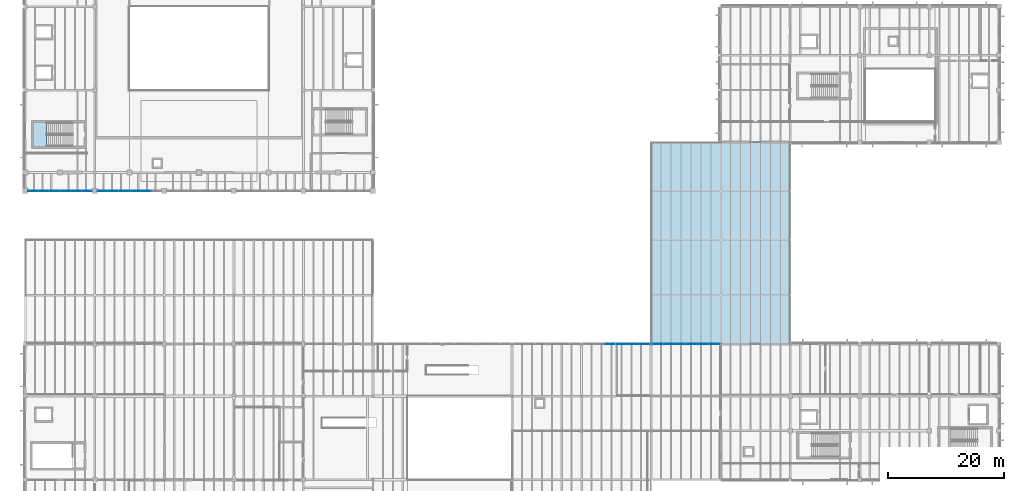
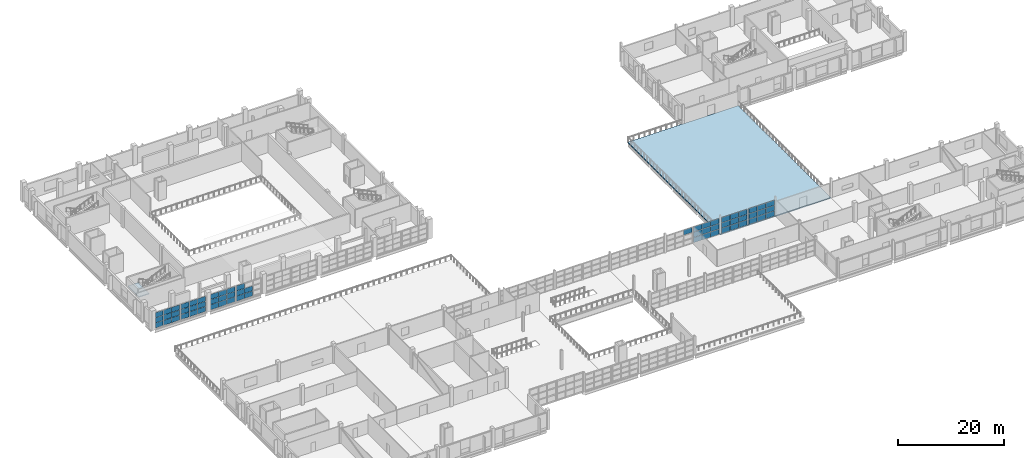
# One storey, part 50 of 78: 60 plates, 2 slabs, 9 elements without a shape of their own.
"""IFC4 building model written with IfcOpenShell, lengths in metres."""

from ifc_helpers import new_model, si_unit, direction, frame, origin, origin_2d, place, context, subcontext, project, spatial, polyline, rectangle, outline, extrude, material, layer, layer_set, type_object, element, aggregate, save


model = new_model("IFC4")

# Units and contexts
model_context = context("Model", 3, precision=1e-05, world=origin(), true_north=direction((0.0, 1.0)))
body_context = subcontext(model_context, "Body", "Model", "MODEL_VIEW")
ifc_project = project(units=[si_unit("LENGTHUNIT", "METRE"), si_unit("AREAUNIT", "SQUARE_METRE"), si_unit("VOLUMEUNIT", "CUBIC_METRE"), si_unit("PLANEANGLEUNIT", "RADIAN"), si_unit("MASSUNIT", "GRAM", prefix="KILO")], contexts=[model_context])

# Site, building, storey
site_placement = place(None, origin())
site = spatial("IfcSite", under=ifc_project, at=site_placement, CompositionType="ELEMENT")
building_placement = place(site_placement, origin())
building = spatial("IfcBuilding", under=site, at=building_placement, Name="Kelmvaro Bay Concert Hall", CompositionType="ELEMENT")
storey_placement = place(building_placement, frame((0.0, 0.0, 9.300048828125)))
storey = spatial("IfcBuildingStorey", under=building, at=storey_placement, Name="L02", CompositionType="ELEMENT", Elevation=9.300048828125)

# Stair, slab
ifc_material_1 = material(Name="Concrete C40/50", Category="concrete")
stair_type = type_object("IfcStairType", Name="Core Dogleg Exit Stair 1980", PredefinedType="USERDEFINED", material=ifc_material_1)
stair_placement = place(storey_placement, origin())
stair = element("IfcStair", 1, at=stair_placement, inside=storey, type_object=stair_type, Name="L02 Exit Stair ST-01", ObjectType="TWO_RETURN_STAIR", PredefinedType="USERDEFINED")
ifc_material_2 = material(Name="Concrete C40/50", Category="concrete")
ifc_layer_1 = layer(ifc_material_2, 0.199951171875)
ifc_layer_set_1 = layer_set([ifc_layer_1], Name="Concrete C40/50")
slab_type_1 = type_object("IfcSlabType", Name="Core Stair Half-Landing Slab 200", PredefinedType="LANDING", material=ifc_layer_set_1)
slab_1_placement = place(storey_placement, frame((0.0, 0.0, 2.050048828125)))
slab_1 = element("IfcSlab", 2, at=slab_1_placement, type_object=slab_type_1, Name="ST-01 landing 1", PredefinedType="LANDING", context=body_context, shape_type="SweptSolid", body=[
    extrude(outline(polyline([(3.696044921875, 77.199951171875), (1.449951171875, 77.199951171875), (1.449951171875, 73.090087890625), (3.696044921875, 73.090087890625), (3.696044921875, 77.199951171875)])), origin(), (0.0, 0.0, 1.0), 0.199951171875),
])
aggregate(stair, [slab_1])

# Curtain wall, plate
ifc_material_3 = material(Name="Anodised Aluminium and Low-E Insulated Glazing", Category="aluminium")
curtain_wall_type_1 = type_object("IfcCurtainWallType", Name="Upper Salon Waterfront Curtain Wall 4050", PredefinedType="USERDEFINED", material=ifc_material_3)
curtain_wall_1_placement = place(storey_placement, origin())
curtain_wall_1 = element("IfcCurtainWall", 3, at=curtain_wall_1_placement, inside=storey, type_object=curtain_wall_type_1, Name="Unitised Curtain Wall CW-L02-095", ObjectType="UNITISED GLAZING", PredefinedType="USERDEFINED")
ifc_material_4 = material(Name="Laminated Low-E Insulated Glass", Category="glass")
ifc_layer_2 = layer(ifc_material_4, 1.85009765625)
ifc_layer_set_2 = layer_set([ifc_layer_2], Name="Laminated Low-E Insulated Glass")
plate_type_1 = type_object("IfcPlateType", Name="Courtyard Clear Low-E Glazing Panel 22", PredefinedType="CURTAIN_PANEL", material=ifc_layer_set_2)
plate_1_placement = place(storey_placement, frame((100.925537109375, 39.0, 2.52490234375), z_axis=(0.0, 0.0, 1.0), x_axis=(1.0, 0.0, 0.0)))
plate_1 = element("IfcPlate", 4, at=plate_1_placement, type_object=plate_type_1, Name="CW-L02-095 Insulated Glazing Panel 03-3", PredefinedType="CURTAIN_PANEL", context=body_context, shape_type="SweptSolid", body=[
    extrude(rectangle(XDim=1.803955078125, YDim=0.02197265625, at=origin_2d()), origin(), (0.0, 0.0, 1.0), 1.181396484375),
])
aggregate(curtain_wall_1, [plate_1])

# Curtain wall, plates
curtain_wall_2_placement = place(storey_placement, origin())
curtain_wall_2 = element("IfcCurtainWall", 5, at=curtain_wall_2_placement, inside=storey, type_object=curtain_wall_type_1, Name="Unitised Curtain Wall CW-L02-096", ObjectType="UNITISED GLAZING", PredefinedType="USERDEFINED")
plate_2_placement = place(storey_placement, frame((103.074462890625, 39.0, 0.0322265625), z_axis=(0.0, 0.0, 1.0), x_axis=(1.0, 0.0, 0.0)))
plate_2 = element("IfcPlate", 6, at=plate_2_placement, type_object=plate_type_1, Name="CW-L02-096 Insulated Glazing Panel 01-1", PredefinedType="CURTAIN_PANEL", context=body_context, shape_type="SweptSolid", body=[
    extrude(rectangle(XDim=1.803955078125, YDim=0.02197265625, at=origin_2d()), origin(), (0.0, 0.0, 1.0), 1.181396484375),
])
plate_3_placement = place(storey_placement, frame((103.074462890625, 39.0, 1.27880859375), z_axis=(0.0, 0.0, 1.0), x_axis=(1.0, 0.0, 0.0)))
plate_3 = element("IfcPlate", 7, at=plate_3_placement, type_object=plate_type_1, Name="CW-L02-096 Insulated Glazing Panel 01-2", PredefinedType="CURTAIN_PANEL", context=body_context, shape_type="SweptSolid", body=[
    extrude(rectangle(XDim=1.803955078125, YDim=0.02197265625, at=origin_2d()), origin(), (0.0, 0.0, 1.0), 1.181396484375),
])
plate_4_placement = place(storey_placement, frame((103.074462890625, 39.0, 2.52490234375), z_axis=(0.0, 0.0, 1.0), x_axis=(1.0, 0.0, 0.0)))
plate_4 = element("IfcPlate", 8, at=plate_4_placement, type_object=plate_type_1, Name="CW-L02-096 Insulated Glazing Panel 01-3", PredefinedType="CURTAIN_PANEL", context=body_context, shape_type="SweptSolid", body=[
    extrude(rectangle(XDim=1.803955078125, YDim=0.02197265625, at=origin_2d()), origin(), (0.0, 0.0, 1.0), 1.181396484375),
])
plate_5_placement = place(storey_placement, frame((104.943603515625, 39.0, 0.0322265625), z_axis=(0.0, 0.0, 1.0), x_axis=(1.0, 0.0, 0.0)))
plate_5 = element("IfcPlate", 9, at=plate_5_placement, type_object=plate_type_1, Name="CW-L02-096 Insulated Glazing Panel 02-1", PredefinedType="CURTAIN_PANEL", context=body_context, shape_type="SweptSolid", body=[
    extrude(rectangle(XDim=1.803955078125, YDim=0.02197265625, at=origin_2d()), origin(), (0.0, 0.0, 1.0), 1.181396484375),
])
plate_6_placement = place(storey_placement, frame((104.943603515625, 39.0, 1.27880859375), z_axis=(0.0, 0.0, 1.0), x_axis=(1.0, 0.0, 0.0)))
plate_6 = element("IfcPlate", 10, at=plate_6_placement, type_object=plate_type_1, Name="CW-L02-096 Insulated Glazing Panel 02-2", PredefinedType="CURTAIN_PANEL", context=body_context, shape_type="SweptSolid", body=[
    extrude(rectangle(XDim=1.803955078125, YDim=0.02197265625, at=origin_2d()), origin(), (0.0, 0.0, 1.0), 1.181396484375),
])
plate_7_placement = place(storey_placement, frame((104.943603515625, 39.0, 2.52490234375), z_axis=(0.0, 0.0, 1.0), x_axis=(1.0, 0.0, 0.0)))
plate_7 = element("IfcPlate", 11, at=plate_7_placement, type_object=plate_type_1, Name="CW-L02-096 Insulated Glazing Panel 02-3", PredefinedType="CURTAIN_PANEL", context=body_context, shape_type="SweptSolid", body=[
    extrude(rectangle(XDim=1.803955078125, YDim=0.02197265625, at=origin_2d()), origin(), (0.0, 0.0, 1.0), 1.181396484375),
])
plate_8_placement = place(storey_placement, frame((106.8125, 39.0, 0.0322265625), z_axis=(0.0, 0.0, 1.0), x_axis=(1.0, 0.0, 0.0)))
plate_8 = element("IfcPlate", 12, at=plate_8_placement, type_object=plate_type_1, Name="CW-L02-096 Insulated Glazing Panel 03-1", PredefinedType="CURTAIN_PANEL", context=body_context, shape_type="SweptSolid", body=[
    extrude(rectangle(XDim=1.803955078125, YDim=0.02197265625, at=origin_2d()), origin(), (0.0, 0.0, 1.0), 1.181396484375),
])
plate_9_placement = place(storey_placement, frame((106.8125, 39.0, 1.27880859375), z_axis=(0.0, 0.0, 1.0), x_axis=(1.0, 0.0, 0.0)))
plate_9 = element("IfcPlate", 13, at=plate_9_placement, type_object=plate_type_1, Name="CW-L02-096 Insulated Glazing Panel 03-2", PredefinedType="CURTAIN_PANEL", context=body_context, shape_type="SweptSolid", body=[
    extrude(rectangle(XDim=1.803955078125, YDim=0.02197265625, at=origin_2d()), origin(), (0.0, 0.0, 1.0), 1.181396484375),
])
plate_10_placement = place(storey_placement, frame((106.8125, 39.0, 2.52490234375), z_axis=(0.0, 0.0, 1.0), x_axis=(1.0, 0.0, 0.0)))
plate_10 = element("IfcPlate", 14, at=plate_10_placement, type_object=plate_type_1, Name="CW-L02-096 Insulated Glazing Panel 03-3", PredefinedType="CURTAIN_PANEL", context=body_context, shape_type="SweptSolid", body=[
    extrude(rectangle(XDim=1.803955078125, YDim=0.02197265625, at=origin_2d()), origin(), (0.0, 0.0, 1.0), 1.181396484375),
])
aggregate(curtain_wall_2, [plate_2, plate_3, plate_4, plate_5, plate_6, plate_7, plate_8, plate_9, plate_10])

curtain_wall_3_placement = place(storey_placement, origin())
curtain_wall_3 = element("IfcCurtainWall", 15, at=curtain_wall_3_placement, inside=storey, type_object=curtain_wall_type_1, Name="Unitised Curtain Wall CW-L02-097", ObjectType="UNITISED GLAZING", PredefinedType="USERDEFINED")
plate_11_placement = place(storey_placement, frame((109.1875, 39.0, 0.0322265625), z_axis=(0.0, 0.0, 1.0), x_axis=(1.0, 0.0, 0.0)))
plate_11 = element("IfcPlate", 16, at=plate_11_placement, type_object=plate_type_1, Name="CW-L02-097 Insulated Glazing Panel 01-1", PredefinedType="CURTAIN_PANEL", context=body_context, shape_type="SweptSolid", body=[
    extrude(rectangle(XDim=1.803955078125, YDim=0.02197265625, at=origin_2d()), origin(), (0.0, 0.0, 1.0), 1.181396484375),
])
plate_12_placement = place(storey_placement, frame((109.1875, 39.0, 1.27880859375), z_axis=(0.0, 0.0, 1.0), x_axis=(1.0, 0.0, 0.0)))
plate_12 = element("IfcPlate", 17, at=plate_12_placement, type_object=plate_type_1, Name="CW-L02-097 Insulated Glazing Panel 01-2", PredefinedType="CURTAIN_PANEL", context=body_context, shape_type="SweptSolid", body=[
    extrude(rectangle(XDim=1.803955078125, YDim=0.02197265625, at=origin_2d()), origin(), (0.0, 0.0, 1.0), 1.181396484375),
])
plate_13_placement = place(storey_placement, frame((109.1875, 39.0, 2.52490234375), z_axis=(0.0, 0.0, 1.0), x_axis=(1.0, 0.0, 0.0)))
plate_13 = element("IfcPlate", 18, at=plate_13_placement, type_object=plate_type_1, Name="CW-L02-097 Insulated Glazing Panel 01-3", PredefinedType="CURTAIN_PANEL", context=body_context, shape_type="SweptSolid", body=[
    extrude(rectangle(XDim=1.803955078125, YDim=0.02197265625, at=origin_2d()), origin(), (0.0, 0.0, 1.0), 1.181396484375),
])
plate_14_placement = place(storey_placement, frame((111.056396484375, 39.0, 0.0322265625), z_axis=(0.0, 0.0, 1.0), x_axis=(1.0, 0.0, 0.0)))
plate_14 = element("IfcPlate", 19, at=plate_14_placement, type_object=plate_type_1, Name="CW-L02-097 Insulated Glazing Panel 02-1", PredefinedType="CURTAIN_PANEL", context=body_context, shape_type="SweptSolid", body=[
    extrude(rectangle(XDim=1.803955078125, YDim=0.02197265625, at=origin_2d()), origin(), (0.0, 0.0, 1.0), 1.181396484375),
])
plate_15_placement = place(storey_placement, frame((111.056396484375, 39.0, 1.27880859375), z_axis=(0.0, 0.0, 1.0), x_axis=(1.0, 0.0, 0.0)))
plate_15 = element("IfcPlate", 20, at=plate_15_placement, type_object=plate_type_1, Name="CW-L02-097 Insulated Glazing Panel 02-2", PredefinedType="CURTAIN_PANEL", context=body_context, shape_type="SweptSolid", body=[
    extrude(rectangle(XDim=1.803955078125, YDim=0.02197265625, at=origin_2d()), origin(), (0.0, 0.0, 1.0), 1.181396484375),
])
plate_16_placement = place(storey_placement, frame((111.056396484375, 39.0, 2.52490234375), z_axis=(0.0, 0.0, 1.0), x_axis=(1.0, 0.0, 0.0)))
plate_16 = element("IfcPlate", 21, at=plate_16_placement, type_object=plate_type_1, Name="CW-L02-097 Insulated Glazing Panel 02-3", PredefinedType="CURTAIN_PANEL", context=body_context, shape_type="SweptSolid", body=[
    extrude(rectangle(XDim=1.803955078125, YDim=0.02197265625, at=origin_2d()), origin(), (0.0, 0.0, 1.0), 1.181396484375),
])
plate_17_placement = place(storey_placement, frame((112.925537109375, 39.0, 0.0322265625), z_axis=(0.0, 0.0, 1.0), x_axis=(1.0, 0.0, 0.0)))
plate_17 = element("IfcPlate", 22, at=plate_17_placement, type_object=plate_type_1, Name="CW-L02-097 Insulated Glazing Panel 03-1", PredefinedType="CURTAIN_PANEL", context=body_context, shape_type="SweptSolid", body=[
    extrude(rectangle(XDim=1.803955078125, YDim=0.02197265625, at=origin_2d()), origin(), (0.0, 0.0, 1.0), 1.181396484375),
])
plate_18_placement = place(storey_placement, frame((112.925537109375, 39.0, 1.27880859375), z_axis=(0.0, 0.0, 1.0), x_axis=(1.0, 0.0, 0.0)))
plate_18 = element("IfcPlate", 23, at=plate_18_placement, type_object=plate_type_1, Name="CW-L02-097 Insulated Glazing Panel 03-2", PredefinedType="CURTAIN_PANEL", context=body_context, shape_type="SweptSolid", body=[
    extrude(rectangle(XDim=1.803955078125, YDim=0.02197265625, at=origin_2d()), origin(), (0.0, 0.0, 1.0), 1.181396484375),
])
plate_19_placement = place(storey_placement, frame((112.925537109375, 39.0, 2.52490234375), z_axis=(0.0, 0.0, 1.0), x_axis=(1.0, 0.0, 0.0)))
plate_19 = element("IfcPlate", 24, at=plate_19_placement, type_object=plate_type_1, Name="CW-L02-097 Insulated Glazing Panel 03-3", PredefinedType="CURTAIN_PANEL", context=body_context, shape_type="SweptSolid", body=[
    extrude(rectangle(XDim=1.803955078125, YDim=0.02197265625, at=origin_2d()), origin(), (0.0, 0.0, 1.0), 1.181396484375),
])
aggregate(curtain_wall_3, [plate_11, plate_12, plate_13, plate_14, plate_15, plate_16, plate_17, plate_18, plate_19])

curtain_wall_4_placement = place(storey_placement, origin())
curtain_wall_4 = element("IfcCurtainWall", 25, at=curtain_wall_4_placement, inside=storey, type_object=curtain_wall_type_1, Name="Unitised Curtain Wall CW-L02-098", ObjectType="UNITISED GLAZING", PredefinedType="USERDEFINED")
plate_20_placement = place(storey_placement, frame((115.07421875, 39.0, 0.0322265625), z_axis=(0.0, 0.0, 1.0), x_axis=(1.0, 0.0, 0.0)))
plate_20 = element("IfcPlate", 26, at=plate_20_placement, type_object=plate_type_1, Name="CW-L02-098 Insulated Glazing Panel 01-1", PredefinedType="CURTAIN_PANEL", context=body_context, shape_type="SweptSolid", body=[
    extrude(rectangle(XDim=1.80322265625, YDim=0.02197265625, at=origin_2d()), origin(), (0.0, 0.0, 1.0), 1.181396484375),
])
plate_21_placement = place(storey_placement, frame((115.07421875, 39.0, 1.27880859375), z_axis=(0.0, 0.0, 1.0), x_axis=(1.0, 0.0, 0.0)))
plate_21 = element("IfcPlate", 27, at=plate_21_placement, type_object=plate_type_1, Name="CW-L02-098 Insulated Glazing Panel 01-2", PredefinedType="CURTAIN_PANEL", context=body_context, shape_type="SweptSolid", body=[
    extrude(rectangle(XDim=1.80322265625, YDim=0.02197265625, at=origin_2d()), origin(), (0.0, 0.0, 1.0), 1.181396484375),
])
plate_22_placement = place(storey_placement, frame((115.07421875, 39.0, 2.52490234375), z_axis=(0.0, 0.0, 1.0), x_axis=(1.0, 0.0, 0.0)))
plate_22 = element("IfcPlate", 28, at=plate_22_placement, type_object=plate_type_1, Name="CW-L02-098 Insulated Glazing Panel 01-3", PredefinedType="CURTAIN_PANEL", context=body_context, shape_type="SweptSolid", body=[
    extrude(rectangle(XDim=1.80322265625, YDim=0.02197265625, at=origin_2d()), origin(), (0.0, 0.0, 1.0), 1.181396484375),
])
plate_23_placement = place(storey_placement, frame((116.9423828125, 39.0, 0.0322265625), z_axis=(0.0, 0.0, 1.0), x_axis=(1.0, 0.0, 0.0)))
plate_23 = element("IfcPlate", 29, at=plate_23_placement, type_object=plate_type_1, Name="CW-L02-098 Insulated Glazing Panel 02-1", PredefinedType="CURTAIN_PANEL", context=body_context, shape_type="SweptSolid", body=[
    extrude(rectangle(XDim=1.80322265625, YDim=0.02197265625, at=origin_2d()), origin(), (0.0, 0.0, 1.0), 1.181396484375),
])
plate_24_placement = place(storey_placement, frame((116.9423828125, 39.0, 1.27880859375), z_axis=(0.0, 0.0, 1.0), x_axis=(1.0, 0.0, 0.0)))
plate_24 = element("IfcPlate", 30, at=plate_24_placement, type_object=plate_type_1, Name="CW-L02-098 Insulated Glazing Panel 02-2", PredefinedType="CURTAIN_PANEL", context=body_context, shape_type="SweptSolid", body=[
    extrude(rectangle(XDim=1.80322265625, YDim=0.02197265625, at=origin_2d()), origin(), (0.0, 0.0, 1.0), 1.181396484375),
])
plate_25_placement = place(storey_placement, frame((116.9423828125, 39.0, 2.52490234375), z_axis=(0.0, 0.0, 1.0), x_axis=(1.0, 0.0, 0.0)))
plate_25 = element("IfcPlate", 31, at=plate_25_placement, type_object=plate_type_1, Name="CW-L02-098 Insulated Glazing Panel 02-3", PredefinedType="CURTAIN_PANEL", context=body_context, shape_type="SweptSolid", body=[
    extrude(rectangle(XDim=1.80322265625, YDim=0.02197265625, at=origin_2d()), origin(), (0.0, 0.0, 1.0), 1.181396484375),
])
plate_26_placement = place(storey_placement, frame((118.810302734375, 39.0, 0.0322265625), z_axis=(0.0, 0.0, 1.0), x_axis=(1.0, 0.0, 0.0)))
plate_26 = element("IfcPlate", 32, at=plate_26_placement, type_object=plate_type_1, Name="CW-L02-098 Insulated Glazing Panel 03-1", PredefinedType="CURTAIN_PANEL", context=body_context, shape_type="SweptSolid", body=[
    extrude(rectangle(XDim=1.80322265625, YDim=0.02197265625, at=origin_2d()), origin(), (0.0, 0.0, 1.0), 1.181396484375),
])
plate_27_placement = place(storey_placement, frame((118.810302734375, 39.0, 1.27880859375), z_axis=(0.0, 0.0, 1.0), x_axis=(1.0, 0.0, 0.0)))
plate_27 = element("IfcPlate", 33, at=plate_27_placement, type_object=plate_type_1, Name="CW-L02-098 Insulated Glazing Panel 03-2", PredefinedType="CURTAIN_PANEL", context=body_context, shape_type="SweptSolid", body=[
    extrude(rectangle(XDim=1.80322265625, YDim=0.02197265625, at=origin_2d()), origin(), (0.0, 0.0, 1.0), 1.181396484375),
])
plate_28_placement = place(storey_placement, frame((118.810302734375, 39.0, 2.52490234375), z_axis=(0.0, 0.0, 1.0), x_axis=(1.0, 0.0, 0.0)))
plate_28 = element("IfcPlate", 34, at=plate_28_placement, type_object=plate_type_1, Name="CW-L02-098 Insulated Glazing Panel 03-3", PredefinedType="CURTAIN_PANEL", context=body_context, shape_type="SweptSolid", body=[
    extrude(rectangle(XDim=1.80322265625, YDim=0.02197265625, at=origin_2d()), origin(), (0.0, 0.0, 1.0), 1.181396484375),
])
aggregate(curtain_wall_4, [plate_20, plate_21, plate_22, plate_23, plate_24, plate_25, plate_26, plate_27, plate_28])

ifc_material_5 = material(Name="Anodised Aluminium and Low-E Insulated Glazing", Category="aluminium")
curtain_wall_type_2 = type_object("IfcCurtainWallType", Name="Symphony South Gallery Curtain Wall 3920", PredefinedType="USERDEFINED", material=ifc_material_5)
curtain_wall_5_placement = place(storey_placement, origin())
curtain_wall_5 = element("IfcCurtainWall", 35, at=curtain_wall_5_placement, inside=storey, type_object=curtain_wall_type_2, Name="Unitised Curtain Wall CW-L02-010", ObjectType="UNITISED GLAZING", PredefinedType="USERDEFINED")
ifc_material_6 = material(Name="Laminated Low-E Insulated Glass", Category="glass")
ifc_layer_3 = layer(ifc_material_6, 1.85009765625)
ifc_layer_set_3 = layer_set([ifc_layer_3], Name="Laminated Low-E Insulated Glass")
plate_type_2 = type_object("IfcPlateType", Name="Symphony Foyer Triple Acoustic Glass 60", PredefinedType="CURTAIN_PANEL", material=ifc_layer_set_3)
plate_29_placement = place(storey_placement, frame((4.9716796875, 65.39990234375, 0.0322265625), z_axis=(0.0, 0.0, 1.0), x_axis=(-1.0, 0.0, 0.0)))
plate_29 = element("IfcPlate", 36, at=plate_29_placement, type_object=plate_type_2, Name="CW-L02-010 Insulated Glazing Panel 01-1", PredefinedType="CURTAIN_PANEL", context=body_context, shape_type="SweptSolid", body=[
    extrude(rectangle(XDim=1.711669921875, YDim=0.06005859375, at=origin_2d()), origin(), (0.0, 0.0, 1.0), 1.124755859375),
])
plate_30_placement = place(storey_placement, frame((4.9716796875, 65.39990234375, 1.22216796875), z_axis=(0.0, 0.0, 1.0), x_axis=(-1.0, 0.0, 0.0)))
plate_30 = element("IfcPlate", 37, at=plate_30_placement, type_object=plate_type_2, Name="CW-L02-010 Insulated Glazing Panel 01-2", PredefinedType="CURTAIN_PANEL", context=body_context, shape_type="SweptSolid", body=[
    extrude(rectangle(XDim=1.711669921875, YDim=0.06005859375, at=origin_2d()), origin(), (0.0, 0.0, 1.0), 1.12451171875),
])
plate_31_placement = place(storey_placement, frame((4.9716796875, 65.39990234375, 2.41162109375), z_axis=(0.0, 0.0, 1.0), x_axis=(-1.0, 0.0, 0.0)))
plate_31 = element("IfcPlate", 38, at=plate_31_placement, type_object=plate_type_2, Name="CW-L02-010 Insulated Glazing Panel 01-3", PredefinedType="CURTAIN_PANEL", context=body_context, shape_type="SweptSolid", body=[
    extrude(rectangle(XDim=1.711669921875, YDim=0.06005859375, at=origin_2d()), origin(), (0.0, 0.0, 1.0), 1.124755859375),
])
plate_32_placement = place(storey_placement, frame((3.195068359375, 65.39990234375, 0.0322265625), z_axis=(0.0, 0.0, 1.0), x_axis=(-1.0, 0.0, 0.0)))
plate_32 = element("IfcPlate", 39, at=plate_32_placement, type_object=plate_type_2, Name="CW-L02-010 Insulated Glazing Panel 02-1", PredefinedType="CURTAIN_PANEL", context=body_context, shape_type="SweptSolid", body=[
    extrude(rectangle(XDim=1.711669921875, YDim=0.06005859375, at=origin_2d()), origin(), (0.0, 0.0, 1.0), 1.124755859375),
])
plate_33_placement = place(storey_placement, frame((3.195068359375, 65.39990234375, 1.22216796875), z_axis=(0.0, 0.0, 1.0), x_axis=(-1.0, 0.0, 0.0)))
plate_33 = element("IfcPlate", 40, at=plate_33_placement, type_object=plate_type_2, Name="CW-L02-010 Insulated Glazing Panel 02-2", PredefinedType="CURTAIN_PANEL", context=body_context, shape_type="SweptSolid", body=[
    extrude(rectangle(XDim=1.711669921875, YDim=0.06005859375, at=origin_2d()), origin(), (0.0, 0.0, 1.0), 1.12451171875),
])
plate_34_placement = place(storey_placement, frame((3.195068359375, 65.39990234375, 2.41162109375), z_axis=(0.0, 0.0, 1.0), x_axis=(-1.0, 0.0, 0.0)))
plate_34 = element("IfcPlate", 41, at=plate_34_placement, type_object=plate_type_2, Name="CW-L02-010 Insulated Glazing Panel 02-3", PredefinedType="CURTAIN_PANEL", context=body_context, shape_type="SweptSolid", body=[
    extrude(rectangle(XDim=1.711669921875, YDim=0.06005859375, at=origin_2d()), origin(), (0.0, 0.0, 1.0), 1.124755859375),
])
plate_35_placement = place(storey_placement, frame((1.418212890625, 65.39990234375, 0.0322265625), z_axis=(0.0, 0.0, 1.0), x_axis=(-1.0, 0.0, 0.0)))
plate_35 = element("IfcPlate", 42, at=plate_35_placement, type_object=plate_type_2, Name="CW-L02-010 Insulated Glazing Panel 03-1", PredefinedType="CURTAIN_PANEL", context=body_context, shape_type="SweptSolid", body=[
    extrude(rectangle(XDim=1.711669921875, YDim=0.06005859375, at=origin_2d()), origin(), (0.0, 0.0, 1.0), 1.124755859375),
])
plate_36_placement = place(storey_placement, frame((1.418212890625, 65.39990234375, 1.22216796875), z_axis=(0.0, 0.0, 1.0), x_axis=(-1.0, 0.0, 0.0)))
plate_36 = element("IfcPlate", 43, at=plate_36_placement, type_object=plate_type_2, Name="CW-L02-010 Insulated Glazing Panel 03-2", PredefinedType="CURTAIN_PANEL", context=body_context, shape_type="SweptSolid", body=[
    extrude(rectangle(XDim=1.711669921875, YDim=0.06005859375, at=origin_2d()), origin(), (0.0, 0.0, 1.0), 1.12451171875),
])
plate_37_placement = place(storey_placement, frame((1.418212890625, 65.39990234375, 2.41162109375), z_axis=(0.0, 0.0, 1.0), x_axis=(-1.0, 0.0, 0.0)))
plate_37 = element("IfcPlate", 44, at=plate_37_placement, type_object=plate_type_2, Name="CW-L02-010 Insulated Glazing Panel 03-3", PredefinedType="CURTAIN_PANEL", context=body_context, shape_type="SweptSolid", body=[
    extrude(rectangle(XDim=1.711669921875, YDim=0.06005859375, at=origin_2d()), origin(), (0.0, 0.0, 1.0), 1.124755859375),
])
aggregate(curtain_wall_5, [plate_29, plate_30, plate_31, plate_32, plate_33, plate_34, plate_35, plate_36, plate_37])

curtain_wall_6_placement = place(storey_placement, origin())
curtain_wall_6 = element("IfcCurtainWall", 45, at=curtain_wall_6_placement, inside=storey, type_object=curtain_wall_type_2, Name="Unitised Curtain Wall CW-L02-011", ObjectType="UNITISED GLAZING", PredefinedType="USERDEFINED")
plate_38_placement = place(storey_placement, frame((10.6025390625, 65.39990234375, 0.0322265625), z_axis=(0.0, 0.0, 1.0), x_axis=(-1.0, 0.0, 0.0)))
plate_38 = element("IfcPlate", 46, at=plate_38_placement, type_object=plate_type_2, Name="CW-L02-011 Insulated Glazing Panel 01-1", PredefinedType="CURTAIN_PANEL", context=body_context, shape_type="SweptSolid", body=[
    extrude(rectangle(XDim=1.719970703125, YDim=0.06005859375, at=origin_2d()), origin(), (0.0, 0.0, 1.0), 1.124755859375),
])
plate_39_placement = place(storey_placement, frame((10.6025390625, 65.39990234375, 1.22216796875), z_axis=(0.0, 0.0, 1.0), x_axis=(-1.0, 0.0, 0.0)))
plate_39 = element("IfcPlate", 47, at=plate_39_placement, type_object=plate_type_2, Name="CW-L02-011 Insulated Glazing Panel 01-2", PredefinedType="CURTAIN_PANEL", context=body_context, shape_type="SweptSolid", body=[
    extrude(rectangle(XDim=1.719970703125, YDim=0.06005859375, at=origin_2d()), origin(), (0.0, 0.0, 1.0), 1.12451171875),
])
plate_40_placement = place(storey_placement, frame((10.6025390625, 65.39990234375, 2.41162109375), z_axis=(0.0, 0.0, 1.0), x_axis=(-1.0, 0.0, 0.0)))
plate_40 = element("IfcPlate", 48, at=plate_40_placement, type_object=plate_type_2, Name="CW-L02-011 Insulated Glazing Panel 01-3", PredefinedType="CURTAIN_PANEL", context=body_context, shape_type="SweptSolid", body=[
    extrude(rectangle(XDim=1.719970703125, YDim=0.06005859375, at=origin_2d()), origin(), (0.0, 0.0, 1.0), 1.124755859375),
])
plate_41_placement = place(storey_placement, frame((8.8173828125, 65.39990234375, 0.0322265625), z_axis=(0.0, 0.0, 1.0), x_axis=(-1.0, 0.0, 0.0)))
plate_41 = element("IfcPlate", 49, at=plate_41_placement, type_object=plate_type_2, Name="CW-L02-011 Insulated Glazing Panel 02-1", PredefinedType="CURTAIN_PANEL", context=body_context, shape_type="SweptSolid", body=[
    extrude(rectangle(XDim=1.719970703125, YDim=0.06005859375, at=origin_2d()), origin(), (0.0, 0.0, 1.0), 1.124755859375),
])
plate_42_placement = place(storey_placement, frame((8.8173828125, 65.39990234375, 1.22216796875), z_axis=(0.0, 0.0, 1.0), x_axis=(-1.0, 0.0, 0.0)))
plate_42 = element("IfcPlate", 50, at=plate_42_placement, type_object=plate_type_2, Name="CW-L02-011 Insulated Glazing Panel 02-2", PredefinedType="CURTAIN_PANEL", context=body_context, shape_type="SweptSolid", body=[
    extrude(rectangle(XDim=1.719970703125, YDim=0.06005859375, at=origin_2d()), origin(), (0.0, 0.0, 1.0), 1.12451171875),
])
plate_43_placement = place(storey_placement, frame((8.8173828125, 65.39990234375, 2.41162109375), z_axis=(0.0, 0.0, 1.0), x_axis=(-1.0, 0.0, 0.0)))
plate_43 = element("IfcPlate", 51, at=plate_43_placement, type_object=plate_type_2, Name="CW-L02-011 Insulated Glazing Panel 02-3", PredefinedType="CURTAIN_PANEL", context=body_context, shape_type="SweptSolid", body=[
    extrude(rectangle(XDim=1.719970703125, YDim=0.06005859375, at=origin_2d()), origin(), (0.0, 0.0, 1.0), 1.124755859375),
])
plate_44_placement = place(storey_placement, frame((7.032470703125, 65.39990234375, 0.0322265625), z_axis=(0.0, 0.0, 1.0), x_axis=(-1.0, 0.0, 0.0)))
plate_44 = element("IfcPlate", 52, at=plate_44_placement, type_object=plate_type_2, Name="CW-L02-011 Insulated Glazing Panel 03-1", PredefinedType="CURTAIN_PANEL", context=body_context, shape_type="SweptSolid", body=[
    extrude(rectangle(XDim=1.719970703125, YDim=0.06005859375, at=origin_2d()), origin(), (0.0, 0.0, 1.0), 1.124755859375),
])
plate_45_placement = place(storey_placement, frame((7.032470703125, 65.39990234375, 1.22216796875), z_axis=(0.0, 0.0, 1.0), x_axis=(-1.0, 0.0, 0.0)))
plate_45 = element("IfcPlate", 53, at=plate_45_placement, type_object=plate_type_2, Name="CW-L02-011 Insulated Glazing Panel 03-2", PredefinedType="CURTAIN_PANEL", context=body_context, shape_type="SweptSolid", body=[
    extrude(rectangle(XDim=1.719970703125, YDim=0.06005859375, at=origin_2d()), origin(), (0.0, 0.0, 1.0), 1.12451171875),
])
plate_46_placement = place(storey_placement, frame((7.032470703125, 65.39990234375, 2.41162109375), z_axis=(0.0, 0.0, 1.0), x_axis=(-1.0, 0.0, 0.0)))
plate_46 = element("IfcPlate", 54, at=plate_46_placement, type_object=plate_type_2, Name="CW-L02-011 Insulated Glazing Panel 03-3", PredefinedType="CURTAIN_PANEL", context=body_context, shape_type="SweptSolid", body=[
    extrude(rectangle(XDim=1.719970703125, YDim=0.06005859375, at=origin_2d()), origin(), (0.0, 0.0, 1.0), 1.124755859375),
])
aggregate(curtain_wall_6, [plate_38, plate_39, plate_40, plate_41, plate_42, plate_43, plate_44, plate_45, plate_46])

curtain_wall_7_placement = place(storey_placement, origin())
curtain_wall_7 = element("IfcCurtainWall", 55, at=curtain_wall_7_placement, inside=storey, type_object=curtain_wall_type_2, Name="Unitised Curtain Wall CW-L02-012", ObjectType="UNITISED GLAZING", PredefinedType="USERDEFINED")
plate_47_placement = place(storey_placement, frame((16.967529296875, 65.39990234375, 0.0322265625), z_axis=(0.0, 0.0, 1.0), x_axis=(-1.0, 0.0, 0.0)))
plate_47 = element("IfcPlate", 56, at=plate_47_placement, type_object=plate_type_2, Name="CW-L02-012 Insulated Glazing Panel 01-1", PredefinedType="CURTAIN_PANEL", context=body_context, shape_type="SweptSolid", body=[
    extrude(rectangle(XDim=1.719970703125, YDim=0.06005859375, at=origin_2d()), origin(), (0.0, 0.0, 1.0), 1.124755859375),
])
plate_48_placement = place(storey_placement, frame((16.967529296875, 65.39990234375, 1.22216796875), z_axis=(0.0, 0.0, 1.0), x_axis=(-1.0, 0.0, 0.0)))
plate_48 = element("IfcPlate", 57, at=plate_48_placement, type_object=plate_type_2, Name="CW-L02-012 Insulated Glazing Panel 01-2", PredefinedType="CURTAIN_PANEL", context=body_context, shape_type="SweptSolid", body=[
    extrude(rectangle(XDim=1.719970703125, YDim=0.06005859375, at=origin_2d()), origin(), (0.0, 0.0, 1.0), 1.12451171875),
])
plate_49_placement = place(storey_placement, frame((16.967529296875, 65.39990234375, 2.41162109375), z_axis=(0.0, 0.0, 1.0), x_axis=(-1.0, 0.0, 0.0)))
plate_49 = element("IfcPlate", 58, at=plate_49_placement, type_object=plate_type_2, Name="CW-L02-012 Insulated Glazing Panel 01-3", PredefinedType="CURTAIN_PANEL", context=body_context, shape_type="SweptSolid", body=[
    extrude(rectangle(XDim=1.719970703125, YDim=0.06005859375, at=origin_2d()), origin(), (0.0, 0.0, 1.0), 1.124755859375),
])
plate_50_placement = place(storey_placement, frame((15.1826171875, 65.39990234375, 0.0322265625), z_axis=(0.0, 0.0, 1.0), x_axis=(-1.0, 0.0, 0.0)))
plate_50 = element("IfcPlate", 59, at=plate_50_placement, type_object=plate_type_2, Name="CW-L02-012 Insulated Glazing Panel 02-1", PredefinedType="CURTAIN_PANEL", context=body_context, shape_type="SweptSolid", body=[
    extrude(rectangle(XDim=1.719970703125, YDim=0.06005859375, at=origin_2d()), origin(), (0.0, 0.0, 1.0), 1.124755859375),
])
plate_51_placement = place(storey_placement, frame((15.1826171875, 65.39990234375, 1.22216796875), z_axis=(0.0, 0.0, 1.0), x_axis=(-1.0, 0.0, 0.0)))
plate_51 = element("IfcPlate", 60, at=plate_51_placement, type_object=plate_type_2, Name="CW-L02-012 Insulated Glazing Panel 02-2", PredefinedType="CURTAIN_PANEL", context=body_context, shape_type="SweptSolid", body=[
    extrude(rectangle(XDim=1.719970703125, YDim=0.06005859375, at=origin_2d()), origin(), (0.0, 0.0, 1.0), 1.12451171875),
])
plate_52_placement = place(storey_placement, frame((15.1826171875, 65.39990234375, 2.41162109375), z_axis=(0.0, 0.0, 1.0), x_axis=(-1.0, 0.0, 0.0)))
plate_52 = element("IfcPlate", 61, at=plate_52_placement, type_object=plate_type_2, Name="CW-L02-012 Insulated Glazing Panel 02-3", PredefinedType="CURTAIN_PANEL", context=body_context, shape_type="SweptSolid", body=[
    extrude(rectangle(XDim=1.719970703125, YDim=0.06005859375, at=origin_2d()), origin(), (0.0, 0.0, 1.0), 1.124755859375),
])
plate_53_placement = place(storey_placement, frame((13.3974609375, 65.39990234375, 0.0322265625), z_axis=(0.0, 0.0, 1.0), x_axis=(-1.0, 0.0, 0.0)))
plate_53 = element("IfcPlate", 62, at=plate_53_placement, type_object=plate_type_2, Name="CW-L02-012 Insulated Glazing Panel 03-1", PredefinedType="CURTAIN_PANEL", context=body_context, shape_type="SweptSolid", body=[
    extrude(rectangle(XDim=1.719970703125, YDim=0.06005859375, at=origin_2d()), origin(), (0.0, 0.0, 1.0), 1.124755859375),
])
plate_54_placement = place(storey_placement, frame((13.3974609375, 65.39990234375, 1.22216796875), z_axis=(0.0, 0.0, 1.0), x_axis=(-1.0, 0.0, 0.0)))
plate_54 = element("IfcPlate", 63, at=plate_54_placement, type_object=plate_type_2, Name="CW-L02-012 Insulated Glazing Panel 03-2", PredefinedType="CURTAIN_PANEL", context=body_context, shape_type="SweptSolid", body=[
    extrude(rectangle(XDim=1.719970703125, YDim=0.06005859375, at=origin_2d()), origin(), (0.0, 0.0, 1.0), 1.12451171875),
])
plate_55_placement = place(storey_placement, frame((13.3974609375, 65.39990234375, 2.41162109375), z_axis=(0.0, 0.0, 1.0), x_axis=(-1.0, 0.0, 0.0)))
plate_55 = element("IfcPlate", 64, at=plate_55_placement, type_object=plate_type_2, Name="CW-L02-012 Insulated Glazing Panel 03-3", PredefinedType="CURTAIN_PANEL", context=body_context, shape_type="SweptSolid", body=[
    extrude(rectangle(XDim=1.719970703125, YDim=0.06005859375, at=origin_2d()), origin(), (0.0, 0.0, 1.0), 1.124755859375),
])
aggregate(curtain_wall_7, [plate_47, plate_48, plate_49, plate_50, plate_51, plate_52, plate_53, plate_54, plate_55])

curtain_wall_8_placement = place(storey_placement, origin())
curtain_wall_8 = element("IfcCurtainWall", 65, at=curtain_wall_8_placement, inside=storey, type_object=curtain_wall_type_2, Name="Unitised Curtain Wall CW-L02-013", ObjectType="UNITISED GLAZING", PredefinedType="USERDEFINED")
plate_56_placement = place(storey_placement, frame((20.8173828125, 65.39990234375, 0.0322265625), z_axis=(0.0, 0.0, 1.0), x_axis=(-1.0, 0.0, 0.0)))
plate_56 = element("IfcPlate", 66, at=plate_56_placement, type_object=plate_type_2, Name="CW-L02-013 Insulated Glazing Panel 02-1", PredefinedType="CURTAIN_PANEL", context=body_context, shape_type="SweptSolid", body=[
    extrude(rectangle(XDim=1.719970703125, YDim=0.06005859375, at=origin_2d()), origin(), (0.0, 0.0, 1.0), 1.124755859375),
])
plate_57_placement = place(storey_placement, frame((20.8173828125, 65.39990234375, 1.22216796875), z_axis=(0.0, 0.0, 1.0), x_axis=(-1.0, 0.0, 0.0)))
plate_57 = element("IfcPlate", 67, at=plate_57_placement, type_object=plate_type_2, Name="CW-L02-013 Insulated Glazing Panel 02-2", PredefinedType="CURTAIN_PANEL", context=body_context, shape_type="SweptSolid", body=[
    extrude(rectangle(XDim=1.719970703125, YDim=0.06005859375, at=origin_2d()), origin(), (0.0, 0.0, 1.0), 1.12451171875),
])
plate_58_placement = place(storey_placement, frame((19.032470703125, 65.39990234375, 0.0322265625), z_axis=(0.0, 0.0, 1.0), x_axis=(-1.0, 0.0, 0.0)))
plate_58 = element("IfcPlate", 68, at=plate_58_placement, type_object=plate_type_2, Name="CW-L02-013 Insulated Glazing Panel 03-1", PredefinedType="CURTAIN_PANEL", context=body_context, shape_type="SweptSolid", body=[
    extrude(rectangle(XDim=1.719970703125, YDim=0.06005859375, at=origin_2d()), origin(), (0.0, 0.0, 1.0), 1.124755859375),
])
plate_59_placement = place(storey_placement, frame((19.032470703125, 65.39990234375, 1.22216796875), z_axis=(0.0, 0.0, 1.0), x_axis=(-1.0, 0.0, 0.0)))
plate_59 = element("IfcPlate", 69, at=plate_59_placement, type_object=plate_type_2, Name="CW-L02-013 Insulated Glazing Panel 03-2", PredefinedType="CURTAIN_PANEL", context=body_context, shape_type="SweptSolid", body=[
    extrude(rectangle(XDim=1.719970703125, YDim=0.06005859375, at=origin_2d()), origin(), (0.0, 0.0, 1.0), 1.12451171875),
])
plate_60_placement = place(storey_placement, frame((19.032470703125, 65.39990234375, 2.41162109375), z_axis=(0.0, 0.0, 1.0), x_axis=(-1.0, 0.0, 0.0)))
plate_60 = element("IfcPlate", 70, at=plate_60_placement, type_object=plate_type_2, Name="CW-L02-013 Insulated Glazing Panel 03-3", PredefinedType="CURTAIN_PANEL", context=body_context, shape_type="SweptSolid", body=[
    extrude(rectangle(XDim=1.719970703125, YDim=0.06005859375, at=origin_2d()), origin(), (0.0, 0.0, 1.0), 1.124755859375),
])
aggregate(curtain_wall_8, [plate_56, plate_57, plate_58, plate_59, plate_60])

# Slab
ifc_material_7 = material(Name="Concrete C40/50", Category="concrete")
ifc_layer_4 = layer(ifc_material_7, 0.239990234375)
ifc_layer_set_4 = layer_set([ifc_layer_4], Name="Concrete C40/50")
slab_type_2 = type_object("IfcSlabType", Name="Waterfront Terrace Deck Slab 240", PredefinedType="FLOOR", material=ifc_layer_set_4)
slab_2_placement = place(storey_placement, frame((0.0, 0.0, -0.239990234375)))
element("IfcSlab", 71, at=slab_2_placement, inside=storey, type_object=slab_type_2, Name="L02 Terrace Slab TER-EB", PredefinedType="FLOOR", context=body_context, shape_type="SweptSolid", body=[
    extrude(outline(polyline([(108.0, 39.0), (132.0, 39.0), (132.0, 73.800048828125), (108.0, 73.800048828125), (108.0, 39.0)])), origin(), (0.0, 0.0, 1.0), 0.239990234375),
])

save(model, "model.ifc")
